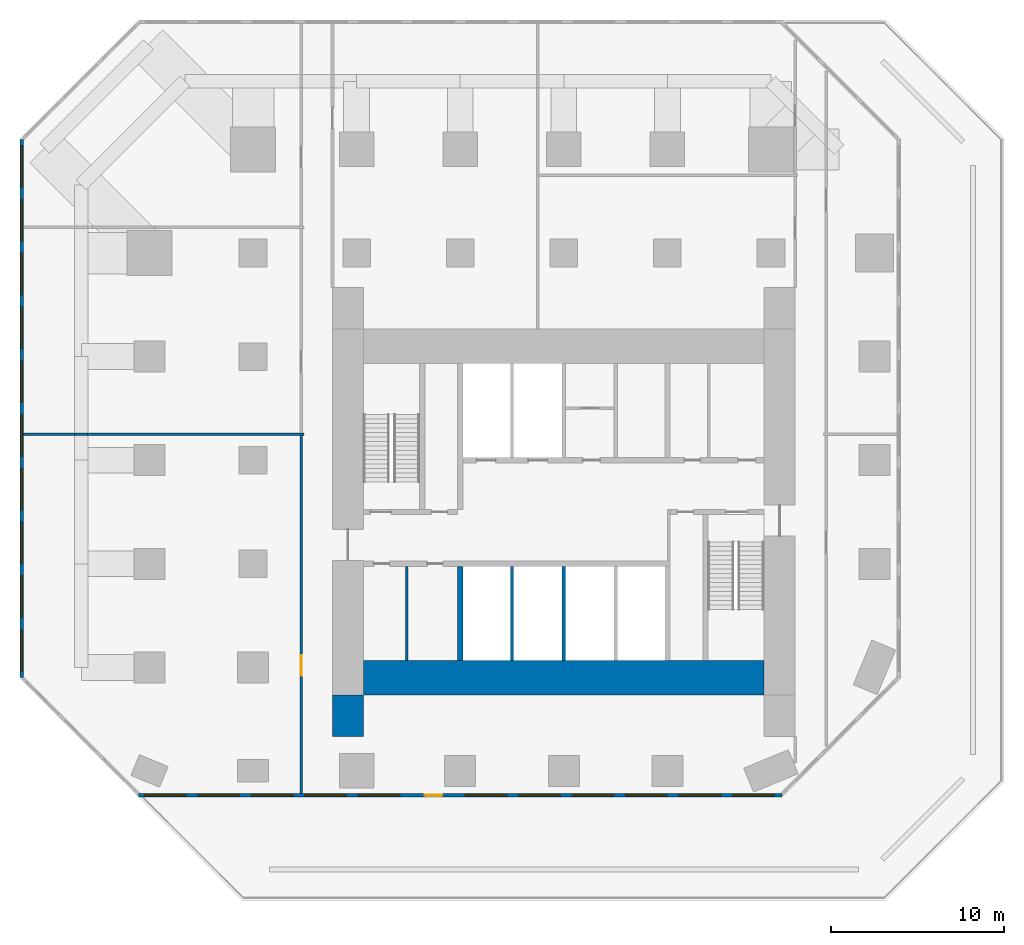
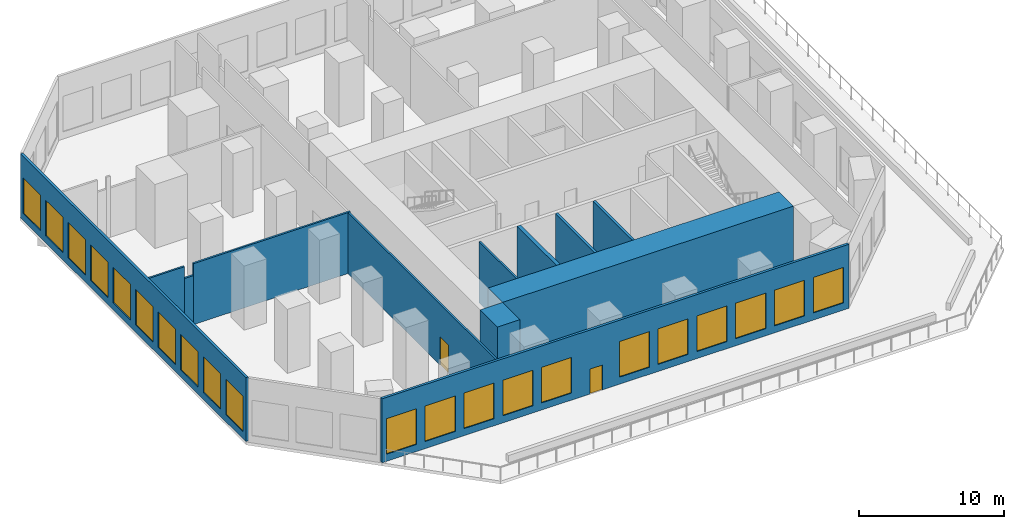
# One storey, part 2 of 7: 21 windows, 12 walls, 2 doors, 23 openings.
"""IFC4 building model written with IfcOpenShell, lengths in metres."""

from ifc_helpers import new_model, si_unit, direction, frame, frame_2d, origin, place, context, subcontext, project, spatial, rectangle, extrude, material, layer, layer_set, type_object, element, fill, save


model = new_model("IFC4")

# Units and contexts
model_context = context("Model", 3, precision=1e-05, world=origin(), true_north=direction((0.0, 1.0)))
body_context = subcontext(model_context, "Body", "Model", "MODEL_VIEW")
ifc_project = project(units=[si_unit("LENGTHUNIT", "METRE"), si_unit("AREAUNIT", "SQUARE_METRE"), si_unit("VOLUMEUNIT", "CUBIC_METRE"), si_unit("PLANEANGLEUNIT", "RADIAN"), si_unit("MASSUNIT", "GRAM", prefix="KILO")], contexts=[model_context])

# Site, building, storey
site_placement = place(None, origin())
site = spatial("IfcSite", under=ifc_project, at=site_placement, CompositionType="ELEMENT")
building_placement = place(site_placement, origin())
building = spatial("IfcBuilding", under=site, at=building_placement, Name="Highveld Stack Headquarters", CompositionType="ELEMENT")
storey_placement = place(building_placement, frame((0.0, 0.0, 88.39990234375)))
storey = spatial("IfcBuildingStorey", under=building, at=storey_placement, Name="L21", CompositionType="ELEMENT", Elevation=88.39990234375)

# Walls
ifc_material_1 = material(Name="Concrete C60/75", Category="concrete")
ifc_layer_1 = layer(ifc_material_1, 2.0)
ifc_layer_set_1 = layer_set([ifc_layer_1], Name="Concrete C60/75")
wall_type_1 = type_object("IfcWallType", Name="CORE WALL 2000 C60/75", PredefinedType="SHEAR", material=ifc_layer_set_1)
wall_1_placement = place(storey_placement, frame((-5.60009765625, -6.60009765625, 0.0), z_axis=(0.0, 0.0, 1.0), x_axis=(1.0, 0.0, 0.0)))
element("IfcWall", 1, at=wall_1_placement, inside=storey, type_object=wall_type_1, Name="Core wall S L21", PredefinedType="SHEAR", context=body_context, shape_type="SweptSolid", body=[
    extrude(rectangle(XDim=23.2001953125, YDim=2.0, at=frame_2d((11.60009765625, 0.0))), origin(), (0.0, 0.0, 1.0), 5.400146484375),
])
ifc_material_2 = material(Name="Concrete C60/75", Category="concrete")
ifc_layer_2 = layer(ifc_material_2, 0.300048828125)
ifc_layer_set_2 = layer_set([ifc_layer_2], Name="Concrete C60/75")
wall_type_2 = type_object("IfcWallType", Name="CORE WALL 300 C60/75", PredefinedType="SHEAR", material=ifc_layer_set_2)
wall_2_placement = place(storey_placement, frame((0.0, -5.60009765625, 0.0), z_axis=(0.0, 0.0, 1.0), x_axis=(0.0, 1.0, 0.0)))
element("IfcWall", 2, at=wall_2_placement, inside=storey, type_object=wall_type_2, Name="Core wall I-X0S L21", PredefinedType="SHEAR", context=body_context, shape_type="SweptSolid", body=[
    extrude(rectangle(XDim=5.4501953125, YDim=0.300048828125, at=frame_2d((2.72509765625, 0.0))), origin(), (0.0, 0.0, 1.0), 5.400146484375),
])
ifc_material_3 = material(Name="Concrete C60/75", Category="concrete")
ifc_layer_3 = layer(ifc_material_3, 1.800048828125)
ifc_layer_set_3 = layer_set([ifc_layer_3], Name="Concrete C60/75")
wall_type_3 = type_object("IfcWallType", Name="CORE WING WALL 1800 C60/75", PredefinedType="SHEAR", material=ifc_layer_set_3)
wall_3_placement = place(storey_placement, frame((-6.5, -10.0, 0.0), z_axis=(0.0, 0.0, 1.0), x_axis=(0.0, 1.0, 0.0)))
element("IfcWall", 3, at=wall_3_placement, inside=storey, type_object=wall_type_3, Name="Core wing wall WS L21", PredefinedType="SHEAR", context=body_context, shape_type="SweptSolid", body=[
    extrude(rectangle(XDim=2.39990234375, YDim=1.800048828125, at=frame_2d((1.199951171875, 0.0))), origin(), (0.0, 0.0, 1.0), 5.400146484375),
])
ifc_material_4 = material(Name="Concrete blockwork, plastered", Category="masonry")
ifc_layer_4 = layer(ifc_material_4, 0.14990234375)
ifc_layer_set_4 = layer_set([ifc_layer_4], Name="Concrete blockwork, plastered")
wall_type_4 = type_object("IfcWallType", Name="FIRE PARTITION 150 BLOCKWORK", PredefinedType="PARTITIONING", material=ifc_layer_set_4)
wall_4_placement = place(storey_placement, frame((-25.300048828125, 7.5, 0.0), z_axis=(0.0, 0.0, 1.0), x_axis=(1.0, 0.0, 0.0)))
element("IfcWall", 4, at=wall_4_placement, inside=storey, type_object=wall_type_4, Name="Partition office neighbourhood L21", PredefinedType="PARTITIONING", context=body_context, shape_type="SweptSolid", body=[
    extrude(rectangle(XDim=2.989990234375, YDim=0.14990234375, at=frame_2d((1.4951171875, 0.0))), origin(), (0.0, 0.0, 1.0), 5.150146484375),
])
wall_5_placement = place(storey_placement, frame((-22.31005859375, 7.5, 0.0), z_axis=(0.0, 0.0, 1.0), x_axis=(1.0, 0.0, 0.0)))
element("IfcWall", 5, at=wall_5_placement, inside=storey, type_object=wall_type_4, Name="Partition office neighbourhood L21", PredefinedType="PARTITIONING", context=body_context, shape_type="SweptSolid", body=[
    extrude(rectangle(XDim=0.719970703125, YDim=0.14990234375, at=frame_2d((0.35986328125, 0.0))), origin(), (0.0, 0.0, 1.0), 4.150146484375),
])
wall_6_placement = place(storey_placement, frame((-21.590087890625, 7.5, 0.0), z_axis=(0.0, 0.0, 1.0), x_axis=(1.0, 0.0, 0.0)))
element("IfcWall", 6, at=wall_6_placement, inside=storey, type_object=wall_type_4, Name="Partition office neighbourhood L21", PredefinedType="PARTITIONING", context=body_context, shape_type="SweptSolid", body=[
    extrude(rectangle(XDim=12.5400390625, YDim=0.14990234375, at=frame_2d((6.27001953125, 0.0))), origin(), (0.0, 0.0, 1.0), 5.150146484375),
])

# Wall, opening, door
wall_7_placement = place(storey_placement, frame((-9.199951171875, -13.300048828125, 0.0), z_axis=(0.0, 0.0, 1.0), x_axis=(0.0, 1.0, 0.0)))
wall_7 = element("IfcWall", 7, at=wall_7_placement, inside=storey, type_object=wall_type_4, Name="Partition office neighbourhood L21", PredefinedType="PARTITIONING", context=body_context, shape_type="SweptSolid", body=[
    extrude(rectangle(XDim=20.72509765625, YDim=0.14990234375, at=frame_2d((10.362548828125, 0.0))), origin(), (0.0, 0.0, 1.0), 5.150146484375),
])
opening_1_placement = place(wall_7_placement, frame((6.81005859375, 0.0, 0.0)))
opening_1 = element("IfcOpeningElement", 8, at=opening_1_placement, cuts=wall_7, Name="Opening L21-14", PredefinedType="OPENING", context=body_context, shape_type="SweptSolid", body=[
    extrude(rectangle(XDim=1.199951171875, YDim=2.39990234375, at=frame_2d((0.60009765625, 1.199951171875))), frame((0.0, 0.0849609375, 0.0), z_axis=(0.0, -1.0, 0.0), x_axis=(1.0, 0.0, 0.0)), (0.0, 0.0, 1.0), 0.169921875),
])
ifc_material_5 = material(Name="Steel fire door", Category="steel")
door_type_1 = type_object("IfcDoorType", Name="PLANT FIRE DOOR D7 1200x2400", OperationType="SINGLE_SWING_LEFT", PredefinedType="DOOR", material=ifc_material_5)
door_1_placement = place(opening_1_placement, origin())
door_1 = element("IfcDoor", 9, at=door_1_placement, inside=storey, type_object=door_type_1, Name="Plant room door L21", OperationType="SINGLE_SWING_LEFT", OverallHeight=2.39990234375, OverallWidth=1.199951171875, PredefinedType="DOOR", context=body_context, shape_type="SweptSolid", body=[
    extrude(rectangle(XDim=1.199951171875, YDim=2.39990234375, at=frame_2d((0.60009765625, 1.199951171875))), frame((0.0, 0.02490234375, 0.0), z_axis=(0.0, -1.0, 0.0), x_axis=(1.0, 0.0, 0.0)), (0.0, 0.0, 1.0), 0.050048828125),
])
fill(opening_1, door_1)

# Walls
ifc_material_6 = material(Name="Concrete blockwork, fair-faced", Category="masonry")
ifc_layer_5 = layer(ifc_material_6, 0.199951171875)
ifc_layer_set_5 = layer_set([ifc_layer_5], Name="Concrete blockwork, fair-faced")
wall_type_5 = type_object("IfcWallType", Name="LIFT SHAFT ENCLOSURE WALL 200 BLOCKWORK", PredefinedType="SOLIDWALL", material=ifc_layer_set_5)
for number, where, z_axis, x_axis, name in (
    (10, (3.0, -5.60009765625, 0.0), (0.0, 0.0, 1.0), (0.0, 1.0, 0.0), "Lift shaft wall L21"),
    (11, (6.0, -5.60009765625, 0.0), (0.0, 0.0, 1.0), (0.0, 1.0, 0.0), "Lift shaft wall L21"),
):
    element("IfcWall", number, at=place(storey_placement, frame(where, z_axis=z_axis, x_axis=x_axis)), inside=storey, type_object=wall_type_5, Name=name, PredefinedType="SOLIDWALL", context=body_context, shape_type="SweptSolid", body=[
        extrude(rectangle(XDim=5.4501953125, YDim=0.199951171875, at=frame_2d((2.72509765625, 0.0))), origin(), (0.0, 0.0, 1.0), 5.400146484375),
    ])

# Wall, openings, windows, door
ifc_material_7 = material(Name="Concrete C40/50, precast cladding", Category="concrete")
ifc_layer_6 = layer(ifc_material_7, 0.199951171875)
ifc_layer_set_6 = layer_set([ifc_layer_6], Name="Concrete C40/50, precast cladding")
wall_type_6 = type_object("IfcWallType", Name="PRECAST LOUVRE WALL 200", PredefinedType="USERDEFINED", material=ifc_layer_set_6)
wall_8_placement = place(storey_placement, frame((-18.6298828125, -13.39990234375, 0.0), z_axis=(0.0, 0.0, 1.0), x_axis=(1.0, 0.0, 0.0)))
wall_8 = element("IfcWall", 12, at=wall_8_placement, inside=storey, type_object=wall_type_6, Name="Precast louvre wall L21 S", ObjectType="PRECAST CLADDING", PredefinedType="USERDEFINED", context=body_context, shape_type="SweptSolid", body=[
    extrude(rectangle(XDim=37.259765625, YDim=0.199951171875, at=frame_2d((18.6298828125, 0.0))), origin(), (0.0, 0.0, 1.0), 5.400146484375),
])
opening_2_placement = place(wall_8_placement, frame((0.348388671875, 0.0, 0.60009765625)))
opening_2 = element("IfcOpeningElement", 13, at=opening_2_placement, cuts=wall_8, Name="Opening L1", PredefinedType="OPENING", context=body_context, shape_type="SweptSolid", body=[
    extrude(rectangle(XDim=2.39990234375, YDim=3.0, at=frame_2d((1.199951171875, 1.5))), frame((0.0, 0.10986328125, 0.0), z_axis=(0.0, -1.0, 0.0), x_axis=(1.0, 0.0, 0.0)), (0.0, 0.0, 1.0), 0.219970703125),
])
opening_3_placement = place(wall_8_placement, frame((3.445068359375, 0.0, 0.60009765625)))
opening_3 = element("IfcOpeningElement", 14, at=opening_3_placement, cuts=wall_8, Name="Opening L1", PredefinedType="OPENING", context=body_context, shape_type="SweptSolid", body=[
    extrude(rectangle(XDim=2.39990234375, YDim=3.0, at=frame_2d((1.199951171875, 1.5))), frame((0.0, 0.10986328125, 0.0), z_axis=(0.0, -1.0, 0.0), x_axis=(1.0, 0.0, 0.0)), (0.0, 0.0, 1.0), 0.219970703125),
])
opening_4_placement = place(wall_8_placement, frame((6.54150390625, 0.0, 0.60009765625)))
opening_4 = element("IfcOpeningElement", 15, at=opening_4_placement, cuts=wall_8, Name="Opening L1", PredefinedType="OPENING", context=body_context, shape_type="SweptSolid", body=[
    extrude(rectangle(XDim=2.39990234375, YDim=3.0, at=frame_2d((1.199951171875, 1.5))), frame((0.0, 0.10986328125, 0.0), z_axis=(0.0, -1.0, 0.0), x_axis=(1.0, 0.0, 0.0)), (0.0, 0.0, 1.0), 0.219970703125),
])
opening_5_placement = place(wall_8_placement, frame((9.63818359375, 0.0, 0.60009765625)))
opening_5 = element("IfcOpeningElement", 16, at=opening_5_placement, cuts=wall_8, Name="Opening L1", PredefinedType="OPENING", context=body_context, shape_type="SweptSolid", body=[
    extrude(rectangle(XDim=2.39990234375, YDim=3.0, at=frame_2d((1.199951171875, 1.5))), frame((0.0, 0.10986328125, 0.0), z_axis=(0.0, -1.0, 0.0), x_axis=(1.0, 0.0, 0.0)), (0.0, 0.0, 1.0), 0.219970703125),
])
opening_6_placement = place(wall_8_placement, frame((12.73486328125, 0.0, 0.60009765625)))
opening_6 = element("IfcOpeningElement", 17, at=opening_6_placement, cuts=wall_8, Name="Opening L1", PredefinedType="OPENING", context=body_context, shape_type="SweptSolid", body=[
    extrude(rectangle(XDim=2.39990234375, YDim=3.0, at=frame_2d((1.199951171875, 1.5))), frame((0.0, 0.10986328125, 0.0), z_axis=(0.0, -1.0, 0.0), x_axis=(1.0, 0.0, 0.0)), (0.0, 0.0, 1.0), 0.219970703125),
])
opening_7_placement = place(wall_8_placement, frame((16.58154296875, 0.0, 0.0)))
opening_7 = element("IfcOpeningElement", 18, at=opening_7_placement, cuts=wall_8, Name="Opening L21-01", PredefinedType="OPENING", context=body_context, shape_type="SweptSolid", body=[
    extrude(rectangle(XDim=1.0, YDim=2.10009765625, at=frame_2d((0.5, 1.050048828125))), frame((0.0, 0.10986328125, 0.0), z_axis=(0.0, -1.0, 0.0), x_axis=(1.0, 0.0, 0.0)), (0.0, 0.0, 1.0), 0.219970703125),
])
opening_8_placement = place(wall_8_placement, frame((18.92822265625, 0.0, 0.60009765625)))
opening_8 = element("IfcOpeningElement", 19, at=opening_8_placement, cuts=wall_8, Name="Opening L1", PredefinedType="OPENING", context=body_context, shape_type="SweptSolid", body=[
    extrude(rectangle(XDim=2.39990234375, YDim=3.0, at=frame_2d((1.199951171875, 1.5))), frame((0.0, 0.10986328125, 0.0), z_axis=(0.0, -1.0, 0.0), x_axis=(1.0, 0.0, 0.0)), (0.0, 0.0, 1.0), 0.219970703125),
])
opening_9_placement = place(wall_8_placement, frame((22.02490234375, 0.0, 0.60009765625)))
opening_9 = element("IfcOpeningElement", 20, at=opening_9_placement, cuts=wall_8, Name="Opening L1", PredefinedType="OPENING", context=body_context, shape_type="SweptSolid", body=[
    extrude(rectangle(XDim=2.39990234375, YDim=3.0, at=frame_2d((1.199951171875, 1.5))), frame((0.0, 0.10986328125, 0.0), z_axis=(0.0, -1.0, 0.0), x_axis=(1.0, 0.0, 0.0)), (0.0, 0.0, 1.0), 0.219970703125),
])
opening_10_placement = place(wall_8_placement, frame((25.12158203125, 0.0, 0.60009765625)))
opening_10 = element("IfcOpeningElement", 21, at=opening_10_placement, cuts=wall_8, Name="Opening L1", PredefinedType="OPENING", context=body_context, shape_type="SweptSolid", body=[
    extrude(rectangle(XDim=2.39990234375, YDim=3.0, at=frame_2d((1.199951171875, 1.5))), frame((0.0, 0.10986328125, 0.0), z_axis=(0.0, -1.0, 0.0), x_axis=(1.0, 0.0, 0.0)), (0.0, 0.0, 1.0), 0.219970703125),
])
opening_11_placement = place(wall_8_placement, frame((28.21826171875, 0.0, 0.60009765625)))
opening_11 = element("IfcOpeningElement", 22, at=opening_11_placement, cuts=wall_8, Name="Opening L1", PredefinedType="OPENING", context=body_context, shape_type="SweptSolid", body=[
    extrude(rectangle(XDim=2.39990234375, YDim=3.0, at=frame_2d((1.199951171875, 1.5))), frame((0.0, 0.10986328125, 0.0), z_axis=(0.0, -1.0, 0.0), x_axis=(1.0, 0.0, 0.0)), (0.0, 0.0, 1.0), 0.219970703125),
])
opening_12_placement = place(wall_8_placement, frame((31.314697265625, 0.0, 0.60009765625)))
opening_12 = element("IfcOpeningElement", 23, at=opening_12_placement, cuts=wall_8, Name="Opening L1", PredefinedType="OPENING", context=body_context, shape_type="SweptSolid", body=[
    extrude(rectangle(XDim=2.39990234375, YDim=3.0, at=frame_2d((1.199951171875, 1.5))), frame((0.0, 0.10986328125, 0.0), z_axis=(0.0, -1.0, 0.0), x_axis=(1.0, 0.0, 0.0)), (0.0, 0.0, 1.0), 0.219970703125),
])
opening_13_placement = place(wall_8_placement, frame((34.41162109375, 0.0, 0.60009765625)))
opening_13 = element("IfcOpeningElement", 24, at=opening_13_placement, cuts=wall_8, Name="Opening L1", PredefinedType="OPENING", context=body_context, shape_type="SweptSolid", body=[
    extrude(rectangle(XDim=2.39990234375, YDim=3.0, at=frame_2d((1.199951171875, 1.5))), frame((0.0, 0.10986328125, 0.0), z_axis=(0.0, -1.0, 0.0), x_axis=(1.0, 0.0, 0.0)), (0.0, 0.0, 1.0), 0.219970703125),
])
ifc_material_8 = material(Name="Aluminium bronze anodised", Category="aluminium")
window_type = type_object("IfcWindowType", Name="LOUVRE L1 2400x3000", PartitioningType="SINGLE_PANEL", PredefinedType="USERDEFINED", material=ifc_material_8)
window_1_placement = place(opening_2_placement, origin())
window_1 = element("IfcWindow", 25, at=window_1_placement, inside=storey, type_object=window_type, Name="Louvre L21 S 1", ObjectType="LOUVRE", OverallHeight=3.0, OverallWidth=2.39990234375, PartitioningType="SINGLE_PANEL", PredefinedType="USERDEFINED", context=body_context, shape_type="SweptSolid", body=[
    extrude(rectangle(XDim=2.39990234375, YDim=3.0, at=frame_2d((1.199951171875, 1.5))), frame((0.0, 0.030029296875, 0.0), z_axis=(0.0, -1.0, 0.0), x_axis=(1.0, 0.0, 0.0)), (0.0, 0.0, 1.0), 0.06005859375),
])
fill(opening_2, window_1)
window_2_placement = place(opening_3_placement, origin())
window_2 = element("IfcWindow", 26, at=window_2_placement, inside=storey, type_object=window_type, Name="Louvre L21 S 2", ObjectType="LOUVRE", OverallHeight=3.0, OverallWidth=2.39990234375, PartitioningType="SINGLE_PANEL", PredefinedType="USERDEFINED", context=body_context, shape_type="SweptSolid", body=[
    extrude(rectangle(XDim=2.39990234375, YDim=3.0, at=frame_2d((1.199951171875, 1.5))), frame((0.0, 0.030029296875, 0.0), z_axis=(0.0, -1.0, 0.0), x_axis=(1.0, 0.0, 0.0)), (0.0, 0.0, 1.0), 0.06005859375),
])
fill(opening_3, window_2)
window_3_placement = place(opening_4_placement, origin())
window_3 = element("IfcWindow", 27, at=window_3_placement, inside=storey, type_object=window_type, Name="Louvre L21 S 3", ObjectType="LOUVRE", OverallHeight=3.0, OverallWidth=2.39990234375, PartitioningType="SINGLE_PANEL", PredefinedType="USERDEFINED", context=body_context, shape_type="SweptSolid", body=[
    extrude(rectangle(XDim=2.39990234375, YDim=3.0, at=frame_2d((1.199951171875, 1.5))), frame((0.0, 0.030029296875, 0.0), z_axis=(0.0, -1.0, 0.0), x_axis=(1.0, 0.0, 0.0)), (0.0, 0.0, 1.0), 0.06005859375),
])
fill(opening_4, window_3)
window_4_placement = place(opening_5_placement, origin())
window_4 = element("IfcWindow", 28, at=window_4_placement, inside=storey, type_object=window_type, Name="Louvre L21 S 4", ObjectType="LOUVRE", OverallHeight=3.0, OverallWidth=2.39990234375, PartitioningType="SINGLE_PANEL", PredefinedType="USERDEFINED", context=body_context, shape_type="SweptSolid", body=[
    extrude(rectangle(XDim=2.39990234375, YDim=3.0, at=frame_2d((1.199951171875, 1.5))), frame((0.0, 0.030029296875, 0.0), z_axis=(0.0, -1.0, 0.0), x_axis=(1.0, 0.0, 0.0)), (0.0, 0.0, 1.0), 0.06005859375),
])
fill(opening_5, window_4)
window_5_placement = place(opening_6_placement, origin())
window_5 = element("IfcWindow", 29, at=window_5_placement, inside=storey, type_object=window_type, Name="Louvre L21 S 5", ObjectType="LOUVRE", OverallHeight=3.0, OverallWidth=2.39990234375, PartitioningType="SINGLE_PANEL", PredefinedType="USERDEFINED", context=body_context, shape_type="SweptSolid", body=[
    extrude(rectangle(XDim=2.39990234375, YDim=3.0, at=frame_2d((1.199951171875, 1.5))), frame((0.0, 0.030029296875, 0.0), z_axis=(0.0, -1.0, 0.0), x_axis=(1.0, 0.0, 0.0)), (0.0, 0.0, 1.0), 0.06005859375),
])
fill(opening_6, window_5)
window_6_placement = place(opening_8_placement, origin())
window_6 = element("IfcWindow", 30, at=window_6_placement, inside=storey, type_object=window_type, Name="Louvre L21 S 7", ObjectType="LOUVRE", OverallHeight=3.0, OverallWidth=2.39990234375, PartitioningType="SINGLE_PANEL", PredefinedType="USERDEFINED", context=body_context, shape_type="SweptSolid", body=[
    extrude(rectangle(XDim=2.39990234375, YDim=3.0, at=frame_2d((1.199951171875, 1.5))), frame((0.0, 0.030029296875, 0.0), z_axis=(0.0, -1.0, 0.0), x_axis=(1.0, 0.0, 0.0)), (0.0, 0.0, 1.0), 0.06005859375),
])
fill(opening_8, window_6)
window_7_placement = place(opening_9_placement, origin())
window_7 = element("IfcWindow", 31, at=window_7_placement, inside=storey, type_object=window_type, Name="Louvre L21 S 8", ObjectType="LOUVRE", OverallHeight=3.0, OverallWidth=2.39990234375, PartitioningType="SINGLE_PANEL", PredefinedType="USERDEFINED", context=body_context, shape_type="SweptSolid", body=[
    extrude(rectangle(XDim=2.39990234375, YDim=3.0, at=frame_2d((1.199951171875, 1.5))), frame((0.0, 0.030029296875, 0.0), z_axis=(0.0, -1.0, 0.0), x_axis=(1.0, 0.0, 0.0)), (0.0, 0.0, 1.0), 0.06005859375),
])
fill(opening_9, window_7)
window_8_placement = place(opening_10_placement, origin())
window_8 = element("IfcWindow", 32, at=window_8_placement, inside=storey, type_object=window_type, Name="Louvre L21 S 9", ObjectType="LOUVRE", OverallHeight=3.0, OverallWidth=2.39990234375, PartitioningType="SINGLE_PANEL", PredefinedType="USERDEFINED", context=body_context, shape_type="SweptSolid", body=[
    extrude(rectangle(XDim=2.39990234375, YDim=3.0, at=frame_2d((1.199951171875, 1.5))), frame((0.0, 0.030029296875, 0.0), z_axis=(0.0, -1.0, 0.0), x_axis=(1.0, 0.0, 0.0)), (0.0, 0.0, 1.0), 0.06005859375),
])
fill(opening_10, window_8)
window_9_placement = place(opening_11_placement, origin())
window_9 = element("IfcWindow", 33, at=window_9_placement, inside=storey, type_object=window_type, Name="Louvre L21 S 10", ObjectType="LOUVRE", OverallHeight=3.0, OverallWidth=2.39990234375, PartitioningType="SINGLE_PANEL", PredefinedType="USERDEFINED", context=body_context, shape_type="SweptSolid", body=[
    extrude(rectangle(XDim=2.39990234375, YDim=3.0, at=frame_2d((1.199951171875, 1.5))), frame((0.0, 0.030029296875, 0.0), z_axis=(0.0, -1.0, 0.0), x_axis=(1.0, 0.0, 0.0)), (0.0, 0.0, 1.0), 0.06005859375),
])
fill(opening_11, window_9)
window_10_placement = place(opening_12_placement, origin())
window_10 = element("IfcWindow", 34, at=window_10_placement, inside=storey, type_object=window_type, Name="Louvre L21 S 11", ObjectType="LOUVRE", OverallHeight=3.0, OverallWidth=2.39990234375, PartitioningType="SINGLE_PANEL", PredefinedType="USERDEFINED", context=body_context, shape_type="SweptSolid", body=[
    extrude(rectangle(XDim=2.39990234375, YDim=3.0, at=frame_2d((1.199951171875, 1.5))), frame((0.0, 0.030029296875, 0.0), z_axis=(0.0, -1.0, 0.0), x_axis=(1.0, 0.0, 0.0)), (0.0, 0.0, 1.0), 0.06005859375),
])
fill(opening_12, window_10)
window_11_placement = place(opening_13_placement, origin())
window_11 = element("IfcWindow", 35, at=window_11_placement, inside=storey, type_object=window_type, Name="Louvre L21 S 12", ObjectType="LOUVRE", OverallHeight=3.0, OverallWidth=2.39990234375, PartitioningType="SINGLE_PANEL", PredefinedType="USERDEFINED", context=body_context, shape_type="SweptSolid", body=[
    extrude(rectangle(XDim=2.39990234375, YDim=3.0, at=frame_2d((1.199951171875, 1.5))), frame((0.0, 0.030029296875, 0.0), z_axis=(0.0, -1.0, 0.0), x_axis=(1.0, 0.0, 0.0)), (0.0, 0.0, 1.0), 0.06005859375),
])
fill(opening_13, window_11)
ifc_material_9 = material(Name="Galvanised steel louvred door, weather-sealed", Category="steel")
door_type_2 = type_object("IfcDoorType", Name="PLANT ROOF DOOR D13 1000x2100", OperationType="SINGLE_SWING_RIGHT", PredefinedType="DOOR", material=ifc_material_9)
door_2_placement = place(opening_7_placement, origin())
door_2 = element("IfcDoor", 36, at=door_2_placement, inside=storey, type_object=door_type_2, Name="Planted roof door L21 S", OperationType="SINGLE_SWING_LEFT", OverallHeight=2.10009765625, OverallWidth=1.0, PredefinedType="DOOR", context=body_context, shape_type="SweptSolid", body=[
    extrude(rectangle(XDim=1.0, YDim=2.10009765625, at=frame_2d((0.5, 1.050048828125))), frame((0.0, 0.02490234375, 0.0), z_axis=(0.0, -1.0, 0.0), x_axis=(1.0, 0.0, 0.0)), (0.0, 0.0, 1.0), 0.050048828125),
])
fill(opening_7, door_2)

# Wall, openings, windows
wall_9_placement = place(storey_placement, frame((-25.39990234375, 24.579833984375, 0.0), z_axis=(0.0, 0.0, 1.0), x_axis=(0.0, -1.0, 0.0)))
wall_9 = element("IfcWall", 37, at=wall_9_placement, inside=storey, type_object=wall_type_6, Name="Precast louvre wall L21 W", ObjectType="PRECAST CLADDING", PredefinedType="USERDEFINED", context=body_context, shape_type="SweptSolid", body=[
    extrude(rectangle(XDim=31.15966796875, YDim=0.199951171875, at=frame_2d((15.579833984375, 0.0))), origin(), (0.0, 0.0, 1.0), 5.400146484375),
])
opening_14_placement = place(wall_9_placement, frame((0.35791015625, 0.0, 0.60009765625)))
opening_14 = element("IfcOpeningElement", 38, at=opening_14_placement, cuts=wall_9, Name="Opening L1", PredefinedType="OPENING", context=body_context, shape_type="SweptSolid", body=[
    extrude(rectangle(XDim=2.39990234375, YDim=3.0, at=frame_2d((1.199951171875, 1.5))), frame((0.0, 0.10986328125, 0.0), z_axis=(0.0, -1.0, 0.0), x_axis=(1.0, 0.0, 0.0)), (0.0, 0.0, 1.0), 0.219970703125),
])
opening_15_placement = place(wall_9_placement, frame((3.47412109375, 0.0, 0.60009765625)))
opening_15 = element("IfcOpeningElement", 39, at=opening_15_placement, cuts=wall_9, Name="Opening L1", PredefinedType="OPENING", context=body_context, shape_type="SweptSolid", body=[
    extrude(rectangle(XDim=2.39990234375, YDim=3.0, at=frame_2d((1.199951171875, 1.5))), frame((0.0, 0.10986328125, 0.0), z_axis=(0.0, -1.0, 0.0), x_axis=(1.0, 0.0, 0.0)), (0.0, 0.0, 1.0), 0.219970703125),
])
opening_16_placement = place(wall_9_placement, frame((6.58984375, 0.0, 0.60009765625)))
opening_16 = element("IfcOpeningElement", 40, at=opening_16_placement, cuts=wall_9, Name="Opening L1", PredefinedType="OPENING", context=body_context, shape_type="SweptSolid", body=[
    extrude(rectangle(XDim=2.39990234375, YDim=3.0, at=frame_2d((1.199951171875, 1.5))), frame((0.0, 0.10986328125, 0.0), z_axis=(0.0, -1.0, 0.0), x_axis=(1.0, 0.0, 0.0)), (0.0, 0.0, 1.0), 0.219970703125),
])
opening_17_placement = place(wall_9_placement, frame((9.705810546875, 0.0, 0.60009765625)))
opening_17 = element("IfcOpeningElement", 41, at=opening_17_placement, cuts=wall_9, Name="Opening L1", PredefinedType="OPENING", context=body_context, shape_type="SweptSolid", body=[
    extrude(rectangle(XDim=2.39990234375, YDim=3.0, at=frame_2d((1.199951171875, 1.5))), frame((0.0, 0.10986328125, 0.0), z_axis=(0.0, -1.0, 0.0), x_axis=(1.0, 0.0, 0.0)), (0.0, 0.0, 1.0), 0.219970703125),
])
opening_18_placement = place(wall_9_placement, frame((12.822021484375, 0.0, 0.60009765625)))
opening_18 = element("IfcOpeningElement", 42, at=opening_18_placement, cuts=wall_9, Name="Opening L1", PredefinedType="OPENING", context=body_context, shape_type="SweptSolid", body=[
    extrude(rectangle(XDim=2.39990234375, YDim=3.0, at=frame_2d((1.199951171875, 1.5))), frame((0.0, 0.10986328125, 0.0), z_axis=(0.0, -1.0, 0.0), x_axis=(1.0, 0.0, 0.0)), (0.0, 0.0, 1.0), 0.219970703125),
])
opening_19_placement = place(wall_9_placement, frame((15.93798828125, 0.0, 0.60009765625)))
opening_19 = element("IfcOpeningElement", 43, at=opening_19_placement, cuts=wall_9, Name="Opening L1", PredefinedType="OPENING", context=body_context, shape_type="SweptSolid", body=[
    extrude(rectangle(XDim=2.39990234375, YDim=3.0, at=frame_2d((1.199951171875, 1.5))), frame((0.0, 0.10986328125, 0.0), z_axis=(0.0, -1.0, 0.0), x_axis=(1.0, 0.0, 0.0)), (0.0, 0.0, 1.0), 0.219970703125),
])
opening_20_placement = place(wall_9_placement, frame((19.053955078125, 0.0, 0.60009765625)))
opening_20 = element("IfcOpeningElement", 44, at=opening_20_placement, cuts=wall_9, Name="Opening L1", PredefinedType="OPENING", context=body_context, shape_type="SweptSolid", body=[
    extrude(rectangle(XDim=2.39990234375, YDim=3.0, at=frame_2d((1.199951171875, 1.5))), frame((0.0, 0.10986328125, 0.0), z_axis=(0.0, -1.0, 0.0), x_axis=(1.0, 0.0, 0.0)), (0.0, 0.0, 1.0), 0.219970703125),
])
opening_21_placement = place(wall_9_placement, frame((22.169921875, 0.0, 0.60009765625)))
opening_21 = element("IfcOpeningElement", 45, at=opening_21_placement, cuts=wall_9, Name="Opening L1", PredefinedType="OPENING", context=body_context, shape_type="SweptSolid", body=[
    extrude(rectangle(XDim=2.39990234375, YDim=3.0, at=frame_2d((1.199951171875, 1.5))), frame((0.0, 0.10986328125, 0.0), z_axis=(0.0, -1.0, 0.0), x_axis=(1.0, 0.0, 0.0)), (0.0, 0.0, 1.0), 0.219970703125),
])
opening_22_placement = place(wall_9_placement, frame((25.285888671875, 0.0, 0.60009765625)))
opening_22 = element("IfcOpeningElement", 46, at=opening_22_placement, cuts=wall_9, Name="Opening L1", PredefinedType="OPENING", context=body_context, shape_type="SweptSolid", body=[
    extrude(rectangle(XDim=2.39990234375, YDim=3.0, at=frame_2d((1.199951171875, 1.5))), frame((0.0, 0.10986328125, 0.0), z_axis=(0.0, -1.0, 0.0), x_axis=(1.0, 0.0, 0.0)), (0.0, 0.0, 1.0), 0.219970703125),
])
opening_23_placement = place(wall_9_placement, frame((28.40185546875, 0.0, 0.60009765625)))
opening_23 = element("IfcOpeningElement", 47, at=opening_23_placement, cuts=wall_9, Name="Opening L1", PredefinedType="OPENING", context=body_context, shape_type="SweptSolid", body=[
    extrude(rectangle(XDim=2.39990234375, YDim=3.0, at=frame_2d((1.199951171875, 1.5))), frame((0.0, 0.10986328125, 0.0), z_axis=(0.0, -1.0, 0.0), x_axis=(1.0, 0.0, 0.0)), (0.0, 0.0, 1.0), 0.219970703125),
])
window_12_placement = place(opening_14_placement, origin())
window_12 = element("IfcWindow", 48, at=window_12_placement, inside=storey, type_object=window_type, Name="Louvre L21 W 1", ObjectType="LOUVRE", OverallHeight=3.0, OverallWidth=2.39990234375, PartitioningType="SINGLE_PANEL", PredefinedType="USERDEFINED", context=body_context, shape_type="SweptSolid", body=[
    extrude(rectangle(XDim=2.39990234375, YDim=3.0, at=frame_2d((1.199951171875, 1.5))), frame((0.0, 0.030029296875, 0.0), z_axis=(0.0, -1.0, 0.0), x_axis=(1.0, 0.0, 0.0)), (0.0, 0.0, 1.0), 0.06005859375),
])
fill(opening_14, window_12)
window_13_placement = place(opening_15_placement, origin())
window_13 = element("IfcWindow", 49, at=window_13_placement, inside=storey, type_object=window_type, Name="Louvre L21 W 2", ObjectType="LOUVRE", OverallHeight=3.0, OverallWidth=2.39990234375, PartitioningType="SINGLE_PANEL", PredefinedType="USERDEFINED", context=body_context, shape_type="SweptSolid", body=[
    extrude(rectangle(XDim=2.39990234375, YDim=3.0, at=frame_2d((1.199951171875, 1.5))), frame((0.0, 0.030029296875, 0.0), z_axis=(0.0, -1.0, 0.0), x_axis=(1.0, 0.0, 0.0)), (0.0, 0.0, 1.0), 0.06005859375),
])
fill(opening_15, window_13)
window_14_placement = place(opening_16_placement, origin())
window_14 = element("IfcWindow", 50, at=window_14_placement, inside=storey, type_object=window_type, Name="Louvre L21 W 3", ObjectType="LOUVRE", OverallHeight=3.0, OverallWidth=2.39990234375, PartitioningType="SINGLE_PANEL", PredefinedType="USERDEFINED", context=body_context, shape_type="SweptSolid", body=[
    extrude(rectangle(XDim=2.39990234375, YDim=3.0, at=frame_2d((1.199951171875, 1.5))), frame((0.0, 0.030029296875, 0.0), z_axis=(0.0, -1.0, 0.0), x_axis=(1.0, 0.0, 0.0)), (0.0, 0.0, 1.0), 0.06005859375),
])
fill(opening_16, window_14)
window_15_placement = place(opening_17_placement, origin())
window_15 = element("IfcWindow", 51, at=window_15_placement, inside=storey, type_object=window_type, Name="Louvre L21 W 4", ObjectType="LOUVRE", OverallHeight=3.0, OverallWidth=2.39990234375, PartitioningType="SINGLE_PANEL", PredefinedType="USERDEFINED", context=body_context, shape_type="SweptSolid", body=[
    extrude(rectangle(XDim=2.39990234375, YDim=3.0, at=frame_2d((1.199951171875, 1.5))), frame((0.0, 0.030029296875, 0.0), z_axis=(0.0, -1.0, 0.0), x_axis=(1.0, 0.0, 0.0)), (0.0, 0.0, 1.0), 0.06005859375),
])
fill(opening_17, window_15)
window_16_placement = place(opening_18_placement, origin())
window_16 = element("IfcWindow", 52, at=window_16_placement, inside=storey, type_object=window_type, Name="Louvre L21 W 5", ObjectType="LOUVRE", OverallHeight=3.0, OverallWidth=2.39990234375, PartitioningType="SINGLE_PANEL", PredefinedType="USERDEFINED", context=body_context, shape_type="SweptSolid", body=[
    extrude(rectangle(XDim=2.39990234375, YDim=3.0, at=frame_2d((1.199951171875, 1.5))), frame((0.0, 0.030029296875, 0.0), z_axis=(0.0, -1.0, 0.0), x_axis=(1.0, 0.0, 0.0)), (0.0, 0.0, 1.0), 0.06005859375),
])
fill(opening_18, window_16)
window_17_placement = place(opening_19_placement, origin())
window_17 = element("IfcWindow", 53, at=window_17_placement, inside=storey, type_object=window_type, Name="Louvre L21 W 6", ObjectType="LOUVRE", OverallHeight=3.0, OverallWidth=2.39990234375, PartitioningType="SINGLE_PANEL", PredefinedType="USERDEFINED", context=body_context, shape_type="SweptSolid", body=[
    extrude(rectangle(XDim=2.39990234375, YDim=3.0, at=frame_2d((1.199951171875, 1.5))), frame((0.0, 0.030029296875, 0.0), z_axis=(0.0, -1.0, 0.0), x_axis=(1.0, 0.0, 0.0)), (0.0, 0.0, 1.0), 0.06005859375),
])
fill(opening_19, window_17)
window_18_placement = place(opening_20_placement, origin())
window_18 = element("IfcWindow", 54, at=window_18_placement, inside=storey, type_object=window_type, Name="Louvre L21 W 7", ObjectType="LOUVRE", OverallHeight=3.0, OverallWidth=2.39990234375, PartitioningType="SINGLE_PANEL", PredefinedType="USERDEFINED", context=body_context, shape_type="SweptSolid", body=[
    extrude(rectangle(XDim=2.39990234375, YDim=3.0, at=frame_2d((1.199951171875, 1.5))), frame((0.0, 0.030029296875, 0.0), z_axis=(0.0, -1.0, 0.0), x_axis=(1.0, 0.0, 0.0)), (0.0, 0.0, 1.0), 0.06005859375),
])
fill(opening_20, window_18)
window_19_placement = place(opening_21_placement, origin())
window_19 = element("IfcWindow", 55, at=window_19_placement, inside=storey, type_object=window_type, Name="Louvre L21 W 8", ObjectType="LOUVRE", OverallHeight=3.0, OverallWidth=2.39990234375, PartitioningType="SINGLE_PANEL", PredefinedType="USERDEFINED", context=body_context, shape_type="SweptSolid", body=[
    extrude(rectangle(XDim=2.39990234375, YDim=3.0, at=frame_2d((1.199951171875, 1.5))), frame((0.0, 0.030029296875, 0.0), z_axis=(0.0, -1.0, 0.0), x_axis=(1.0, 0.0, 0.0)), (0.0, 0.0, 1.0), 0.06005859375),
])
fill(opening_21, window_19)
window_20_placement = place(opening_22_placement, origin())
window_20 = element("IfcWindow", 56, at=window_20_placement, inside=storey, type_object=window_type, Name="Louvre L21 W 9", ObjectType="LOUVRE", OverallHeight=3.0, OverallWidth=2.39990234375, PartitioningType="SINGLE_PANEL", PredefinedType="USERDEFINED", context=body_context, shape_type="SweptSolid", body=[
    extrude(rectangle(XDim=2.39990234375, YDim=3.0, at=frame_2d((1.199951171875, 1.5))), frame((0.0, 0.030029296875, 0.0), z_axis=(0.0, -1.0, 0.0), x_axis=(1.0, 0.0, 0.0)), (0.0, 0.0, 1.0), 0.06005859375),
])
fill(opening_22, window_20)
window_21_placement = place(opening_23_placement, origin())
window_21 = element("IfcWindow", 57, at=window_21_placement, inside=storey, type_object=window_type, Name="Louvre L21 W 10", ObjectType="LOUVRE", OverallHeight=3.0, OverallWidth=2.39990234375, PartitioningType="SINGLE_PANEL", PredefinedType="USERDEFINED", context=body_context, shape_type="SweptSolid", body=[
    extrude(rectangle(XDim=2.39990234375, YDim=3.0, at=frame_2d((1.199951171875, 1.5))), frame((0.0, 0.030029296875, 0.0), z_axis=(0.0, -1.0, 0.0), x_axis=(1.0, 0.0, 0.0)), (0.0, 0.0, 1.0), 0.06005859375),
])
fill(opening_23, window_21)

# Wall
ifc_material_10 = material(Name="Concrete blockwork, tiled", Category="masonry")
ifc_layer_7 = layer(ifc_material_10, 0.14990234375)
ifc_layer_set_7 = layer_set([ifc_layer_7], Name="Concrete blockwork, tiled")
wall_type_7 = type_object("IfcWallType", Name="WC PARTITION 150", PredefinedType="PLUMBINGWALL", material=ifc_layer_set_7)
wall_10_placement = place(storey_placement, frame((-3.10009765625, -5.60009765625, 0.0), z_axis=(0.0, 0.0, 1.0), x_axis=(0.0, 1.0, 0.0)))
element("IfcWall", 58, at=wall_10_placement, inside=storey, type_object=wall_type_7, Name="Toilet partition L21", PredefinedType="PLUMBINGWALL", context=body_context, shape_type="SweptSolid", body=[
    extrude(rectangle(XDim=5.4501953125, YDim=0.14990234375, at=frame_2d((2.72509765625, 0.0))), origin(), (0.0, 0.0, 1.0), 5.150146484375),
])

save(model, "model.ifc")
